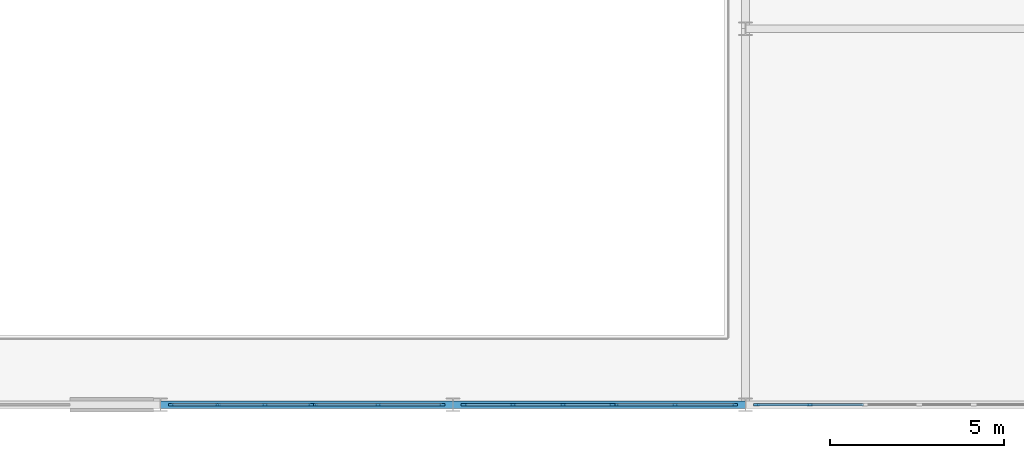
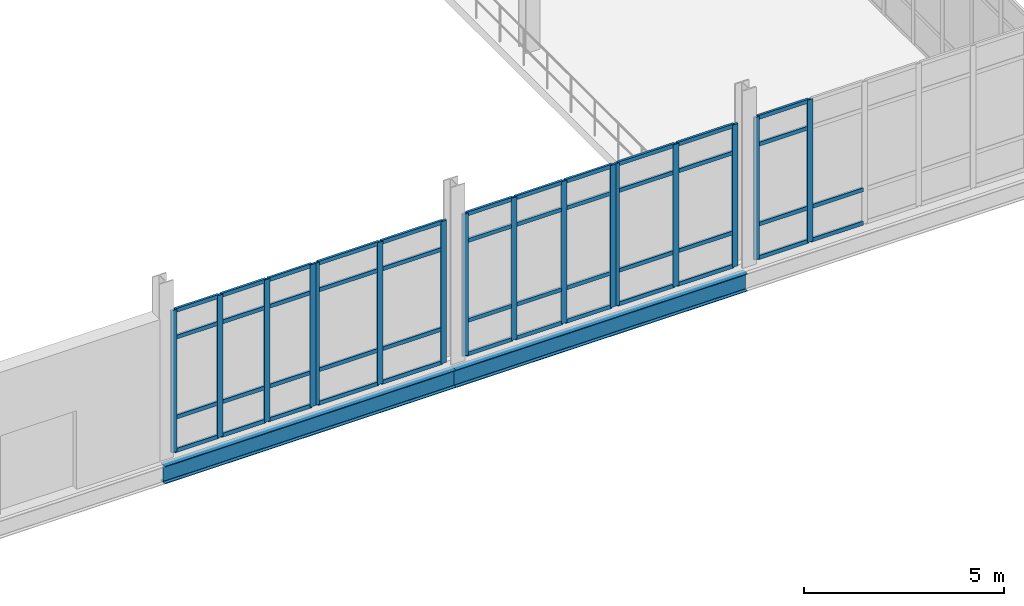
# One storey, part 37 of 111: 62 members, 2 beams, 5 elements without a shape of their own.
"""IFC4 building model written with IfcOpenShell, lengths in metres."""

import ifcopenshell
import ifcopenshell.guid

model = None  # the IFC model being written
_history = None  # IfcOwnerHistory: only IFC2X3 demands one
_inside = {}  # id of a spatial element -> (the spatial element, [elements in it])
_under = {}  # id of a project, library or spatial element -> (it, [spatial elements below it])
_declared = {}  # id of a project -> (the project, [libraries it declares])
_typed = {}  # id of a type object -> (the type object, [elements of that type])
_made_of = {}  # id of a material, layer set ... -> (it, [elements and type objects made of it])


def new_model(schema):
    """Start an empty IFC model of exactly this schema.

    Asked for "IFC4X3", IfcOpenShell would pick the latest addendum, in which some entities
    have other attributes; the version numbers below select the first issue.
    IFC2X3 requires an IfcOwnerHistory on every rooted entity: one is made here for all.
    """
    global model, _history
    if schema == "IFC4X3":
        model = ifcopenshell.file(schema_version=(4, 3, 0, 0))
    else:
        model = ifcopenshell.file(schema=schema)
    _inside.clear()
    _under.clear()
    _declared.clear()
    _typed.clear()
    _made_of.clear()
    _history = None
    if model.schema == "IFC2X3":
        org = make("IfcOrganization", Name="unknown")
        user = make(
            "IfcPersonAndOrganization",
            ThePerson=make("IfcPerson", FamilyName="unknown"),
            TheOrganization=org,
        )
        app = make(
            "IfcApplication",
            ApplicationDeveloper=org,
            Version="unknown",
            ApplicationFullName="unknown",
            ApplicationIdentifier="unknown",
        )
        _history = make(
            "IfcOwnerHistory",
            OwningUser=user,
            OwningApplication=app,
            ChangeAction="ADDED",
            CreationDate=0,
        )
    return model


def make(cls, **values):
    """One entity of the class cls with the attributes given. An attribute that is None is left unset."""
    return model.create_entity(
        cls, **{name: value for name, value in values.items() if value is not None}
    )


def rooted(cls, **values):
    """An entity with a GlobalId (a new one), such as an element, a storey or a relation."""
    return make(cls, GlobalId=ifcopenshell.guid.new(), OwnerHistory=_history, **values)


def si_unit(unit_type, name, prefix=None):
    """IfcSIUnit, for example si_unit("LENGTHUNIT", "METRE", prefix="MILLI")."""
    return make("IfcSIUnit", UnitType=unit_type, Prefix=prefix, Name=name)


def assignment(units):
    """IfcUnitAssignment: the units of a project."""
    return None if units is None else make("IfcUnitAssignment", Units=units)


def point(xyz):
    """IfcCartesianPoint."""
    return None if xyz is None else make("IfcCartesianPoint", Coordinates=xyz)


def direction(xyz):
    """IfcDirection."""
    return None if xyz is None else make("IfcDirection", DirectionRatios=xyz)


def frame(location, z_axis=None, x_axis=None):
    """IfcAxis2Placement3D, a coordinate frame: its origin and axes. An axis left out is left unset."""
    return make(
        "IfcAxis2Placement3D",
        Location=point(location),
        Axis=direction(z_axis),
        RefDirection=direction(x_axis),
    )


def frame_2d(location, x_axis=None):
    """IfcAxis2Placement2D, a coordinate frame in the plane: its origin and x axis."""
    return make(
        "IfcAxis2Placement2D", Location=point(location), RefDirection=direction(x_axis)
    )


def origin():
    """The frame at (0, 0, 0) with its axes left unset."""
    return frame((0.0, 0.0, 0.0))


def origin_2d():
    """The frame at (0, 0) in the plane with its x axis left unset."""
    return frame_2d((0.0, 0.0))


def place(relative_to, where):
    """IfcLocalPlacement: puts the frame where relative to a parent placement (None: the world)."""
    return make(
        "IfcLocalPlacement", PlacementRelTo=relative_to, RelativePlacement=where
    )


def context(
    kind, dimensions, precision=None, world=None, true_north=None, identifier=None
):
    """IfcGeometricRepresentationContext, for example the 3D "Model" context."""
    return make(
        "IfcGeometricRepresentationContext",
        ContextIdentifier=identifier,
        ContextType=kind,
        CoordinateSpaceDimension=dimensions,
        Precision=precision,
        WorldCoordinateSystem=world,
        TrueNorth=true_north,
    )


def subcontext(parent, identifier, kind, view, scale=None):
    """IfcGeometricRepresentationSubContext, for example "Body" below "Model"."""
    return make(
        "IfcGeometricRepresentationSubContext",
        ContextIdentifier=identifier,
        ContextType=kind,
        ParentContext=parent,
        TargetScale=scale,
        TargetView=view,
    )


def project(units=None, contexts=None):
    """IfcProject with its units and contexts."""
    return rooted(
        "IfcProject",
        Name="project",
        RepresentationContexts=contexts,
        UnitsInContext=assignment(units),
    )


def spatial(cls, under=None, at=None, **own):
    """A site, building, storey or space (cls), placed at a placement, below another one or the project."""
    s = rooted(cls, ObjectPlacement=at, **own)
    if under is not None:
        _under.setdefault(under.id(), (under, []))[1].append(s)
    return s


def profile(cls, at=None, kind="AREA", **sizes):
    """A parametric profile (cls). Its sizes go by their IFC names, for example OverallWidth=200.0."""
    return make(cls, ProfileType=kind, Position=at, **sizes)


def rectangle(**sizes):
    """IfcRectangleProfileDef."""
    return profile("IfcRectangleProfileDef", **sizes)


def i_section(**sizes):
    """IfcIShapeProfileDef."""
    return profile("IfcIShapeProfileDef", **sizes)


def extrude(swept, where, along, depth):
    """IfcExtrudedAreaSolid: the profile swept, set in the frame where, extruded along a direction by depth."""
    return make(
        "IfcExtrudedAreaSolid",
        SweptArea=swept,
        Position=where,
        ExtrudedDirection=direction(along),
        Depth=depth,
    )


def shape(context_of_items, identifier, shape_type, items):
    """IfcShapeRepresentation: the items that make up one representation, for example the "Body"."""
    return make(
        "IfcShapeRepresentation",
        ContextOfItems=context_of_items,
        RepresentationIdentifier=identifier,
        RepresentationType=shape_type,
        Items=items,
    )


def material(Name=None, Category=None):
    """IfcMaterial."""
    return make("IfcMaterial", Name=Name, Category=Category)


def layer(
    of_material, thickness, ventilated=None, Name=None, Category=None, Priority=None
):
    """IfcMaterialLayer: one layer of a wall or slab, of a material (None: an air gap)."""
    return make(
        "IfcMaterialLayer",
        Material=of_material,
        LayerThickness=thickness,
        IsVentilated=ventilated,
        Name=Name,
        Category=Category,
        Priority=Priority,
    )


def layer_set(layers, Name=None):
    """IfcMaterialLayerSet."""
    return make("IfcMaterialLayerSet", MaterialLayers=layers, LayerSetName=Name)


def material_profile(
    of_material, cross_section, Name=None, Category=None, Priority=None
):
    """IfcMaterialProfile: a cross section and its material."""
    return make(
        "IfcMaterialProfile",
        Name=Name,
        Material=of_material,
        Profile=cross_section,
        Priority=Priority,
        Category=Category,
    )


def profile_set(profiles, Name=None, composite=None):
    """IfcMaterialProfileSet."""
    return make(
        "IfcMaterialProfileSet",
        Name=Name,
        MaterialProfiles=profiles,
        CompositeProfile=composite,
    )


def made_of(thing, what):
    """Note that an element or type object is made of a material, layer set ...; save() writes the relation."""
    if what is not None:
        _made_of.setdefault(what.id(), (what, []))[1].append(thing)
    return thing


def type_object(cls, material=None, **own):
    """A type object (cls), such as IfcWallType, which elements share."""
    return made_of(rooted(cls, **own), material)


def element(
    cls,
    number,
    at=None,
    inside=None,
    cuts=None,
    type_object=None,
    material=None,
    context=None,
    identifier="Body",
    shape_type=None,
    held_by="IfcProductDefinitionShape",
    body=None,
    shapes=None,
    **own,
):
    """One element of the class cls, such as IfcWall. Its Tag is "e" and its number.

    at: its placement. inside: the storey or other place that contains it. cuts: it is an
    opening in that element (IfcRelVoidsElement). A single representation is given by context,
    identifier, shape_type and body (its items); several are given by shapes. held_by: the class
    of the entity that holds the representations. save() writes the other relations.
    """
    e = rooted(cls, Tag="e%d" % number, ObjectPlacement=at, **own)
    if body is not None:
        shapes = [shape(context, identifier, shape_type, body)]
    if shapes is not None:
        e.Representation = make(held_by, Representations=shapes)
    if inside is not None:
        _inside.setdefault(inside.id(), (inside, []))[1].append(e)
    if cuts is not None:
        rooted(
            "IfcRelVoidsElement", RelatingBuildingElement=cuts, RelatedOpeningElement=e
        )
    if type_object is not None:
        _typed.setdefault(type_object.id(), (type_object, []))[1].append(e)
    return made_of(e, material)


def aggregate(whole, parts):
    """IfcRelAggregates: a whole, such as a stair, and the parts it consists of."""
    return rooted("IfcRelAggregates", RelatingObject=whole, RelatedObjects=parts)


def save(model, path):
    """Write the relations noted so far, then the file.

    IfcRelAggregates (storeys below a building ...), IfcRelContainedInSpatialStructure (elements
    in a storey), IfcRelDefinesByType, IfcRelAssociatesMaterial and IfcRelDeclares: one each for
    every whole, place, type object, material and project.
    """
    for whole, parts in _under.values():
        aggregate(whole, parts)
    for where, things in _inside.values():
        rooted(
            "IfcRelContainedInSpatialStructure",
            RelatedElements=things,
            RelatingStructure=where,
        )
    for kind, things in _typed.values():
        rooted("IfcRelDefinesByType", RelatedObjects=things, RelatingType=kind)
    for what, things in _made_of.values():
        rooted("IfcRelAssociatesMaterial", RelatedObjects=things, RelatingMaterial=what)
    for by, libraries in _declared.values():
        rooted("IfcRelDeclares", RelatingContext=by, RelatedDefinitions=libraries)
    model.write(path)


model = new_model("IFC4")

# Units and contexts
model_context = context("Model", 3, precision=1e-05, world=origin(), true_north=direction((0.0, 1.0)))
body_context = subcontext(model_context, "Body", "Model", "MODEL_VIEW")
ifc_project = project(units=[si_unit("LENGTHUNIT", "METRE"), si_unit("AREAUNIT", "SQUARE_METRE"), si_unit("VOLUMEUNIT", "CUBIC_METRE"), si_unit("PLANEANGLEUNIT", "RADIAN"), si_unit("MASSUNIT", "GRAM", prefix="KILO"), si_unit("THERMODYNAMICTEMPERATUREUNIT", "KELVIN"), si_unit("POWERUNIT", "WATT")], contexts=[model_context])

# Site, building, storey
site_placement = place(None, origin())
site = spatial("IfcSite", under=ifc_project, at=site_placement, CompositionType="ELEMENT")
building_placement = place(site_placement, origin())
building = spatial("IfcBuilding", under=site, at=building_placement, Name="Tembeka Court Mobility Hub", CompositionType="ELEMENT")
storey_placement = place(building_placement, origin())
storey = spatial("IfcBuildingStorey", under=building, at=storey_placement, Name="L00", CompositionType="ELEMENT", Elevation=0.0)

# Beams
ifc_material_1 = material(Name="Steel S355", Category="steel")
ifc_material_profile_1 = material_profile(ifc_material_1, i_section(OverallWidth=0.2099609375, OverallDepth=0.537109375, WebThickness=0.0107421875, FlangeThickness=0.017333984375, FilletRadius=0.0126953125, at=origin_2d()), Name="UKB 533x210x101")
ifc_profile_set_1 = profile_set([ifc_material_profile_1], Name="Steel S355")
beam_type = type_object("IfcBeamType", Name="BM-G03", PredefinedType="USERDEFINED", material=ifc_profile_set_1)
beam_1_placement = place(storey_placement, frame((67.199951171875, 0.0, -0.548583984375), z_axis=(1.0, 0.0, 0.0), x_axis=(0.0, 1.0, 0.0)))
element("IfcBeam", 1, at=beam_1_placement, inside=storey, type_object=beam_type, Name="Beam G03 (BM-L00-X0008)", ObjectType="GIRDER", PredefinedType="USERDEFINED", context=body_context, shape_type="SweptSolid", body=[
    extrude(i_section(OverallWidth=0.2099609375, OverallDepth=0.537109375, WebThickness=0.0107421875, FlangeThickness=0.017333984375, FilletRadius=0.0126953125, at=origin_2d()), origin(), (0.0, 0.0, 1.0), 8.400146484375),
])
beam_2_placement = place(storey_placement, frame((75.60009765625, 0.0, -0.548583984375), z_axis=(1.0, 0.0, 0.0), x_axis=(0.0, 1.0, 0.0)))
element("IfcBeam", 2, at=beam_2_placement, inside=storey, type_object=beam_type, Name="Beam G03 (BM-L00-X0009)", ObjectType="GIRDER", PredefinedType="USERDEFINED", context=body_context, shape_type="SweptSolid", body=[
    extrude(i_section(OverallWidth=0.2099609375, OverallDepth=0.537109375, WebThickness=0.0107421875, FlangeThickness=0.017333984375, FilletRadius=0.0126953125, at=origin_2d()), origin(), (0.0, 0.0, 1.0), 8.39990234375),
])

# Curtain wall, members
ifc_material_2 = material(Name="Anodised aluminium 6063-T6", Category="aluminium")
ifc_layer_1 = layer(ifc_material_2, 0.159912109375)
ifc_layer_set_1 = layer_set([ifc_layer_1], Name="Anodised aluminium 6063-T6")
curtain_wall_type_1 = type_object("IfcCurtainWallType", Name="CW-SYS06", PredefinedType="USERDEFINED", material=ifc_layer_set_1)
curtain_wall_1_placement = place(storey_placement, origin())
curtain_wall_1 = element("IfcCurtainWall", 3, at=curtain_wall_1_placement, inside=storey, type_object=curtain_wall_type_1, Name="Unitised curtain wall CW06 (CW-L00-006)", ObjectType="UNITISED GLAZING", PredefinedType="USERDEFINED")
ifc_material_profile_2 = material_profile(ifc_material_2, rectangle(XDim=0.06494140625, YDim=0.159912109375, at=origin_2d()), Name="ALU-MUL 65x160")
ifc_profile_set_2 = profile_set([ifc_material_profile_2], Name="Anodised aluminium 6063-T6")
member_type_1 = type_object("IfcMemberType", Name="CW-MUL01", PredefinedType="MULLION", material=ifc_profile_set_2)
member_1_placement = place(storey_placement, frame((67.512451171875, 0.0, 0.0), z_axis=(0.0, 0.0, 1.0), x_axis=(0.0, 1.0, 0.0)))
member_1 = element("IfcMember", 4, at=member_1_placement, type_object=member_type_1, Name="CW06 mullion 1", PredefinedType="MULLION", context=body_context, shape_type="SweptSolid", body=[
    extrude(rectangle(XDim=0.06494140625, YDim=0.159912109375, at=origin_2d()), origin(), (0.0, 0.0, 1.0), 4.3349609375),
])
member_2_placement = place(storey_placement, frame((68.8359375, 0.0, 0.0), z_axis=(0.0, 0.0, 1.0), x_axis=(0.0, 1.0, 0.0)))
member_2 = element("IfcMember", 5, at=member_2_placement, type_object=member_type_1, Name="CW06 mullion 2", PredefinedType="MULLION", context=body_context, shape_type="SweptSolid", body=[
    extrude(rectangle(XDim=0.06494140625, YDim=0.159912109375, at=origin_2d()), origin(), (0.0, 0.0, 1.0), 4.3349609375),
])
member_3_placement = place(storey_placement, frame((70.19189453125, 0.0, 0.0), z_axis=(0.0, 0.0, 1.0), x_axis=(0.0, 1.0, 0.0)))
member_3 = element("IfcMember", 6, at=member_3_placement, type_object=member_type_1, Name="CW06 mullion 3", PredefinedType="MULLION", context=body_context, shape_type="SweptSolid", body=[
    extrude(rectangle(XDim=0.06494140625, YDim=0.159912109375, at=origin_2d()), origin(), (0.0, 0.0, 1.0), 4.3349609375),
])
member_4_placement = place(storey_placement, frame((71.515380859375, 0.0, 0.0), z_axis=(0.0, 0.0, 1.0), x_axis=(0.0, 1.0, 0.0)))
member_4 = element("IfcMember", 7, at=member_4_placement, type_object=member_type_1, Name="CW06 mullion 4", PredefinedType="MULLION", context=body_context, shape_type="SweptSolid", body=[
    extrude(rectangle(XDim=0.06494140625, YDim=0.159912109375, at=origin_2d()), origin(), (0.0, 0.0, 1.0), 4.3349609375),
])

ifc_layer_2 = layer(ifc_material_2, 0.159912109375)
ifc_layer_set_2 = layer_set([ifc_layer_2], Name="Anodised aluminium 6063-T6")
curtain_wall_type_2 = type_object("IfcCurtainWallType", Name="CW-SYS07", PredefinedType="USERDEFINED", material=ifc_layer_set_2)
curtain_wall_2_placement = place(storey_placement, origin())
curtain_wall_2 = element("IfcCurtainWall", 8, at=curtain_wall_2_placement, inside=storey, type_object=curtain_wall_type_2, Name="Unitised curtain wall CW07 (CW-L00-007)", ObjectType="UNITISED GLAZING", PredefinedType="USERDEFINED")
member_5_placement = place(storey_placement, frame((71.62060546875, 0.0, 0.0), z_axis=(0.0, 0.0, 1.0), x_axis=(0.0, 1.0, 0.0)))
member_5 = element("IfcMember", 9, at=member_5_placement, type_object=member_type_1, Name="CW07 mullion 1", PredefinedType="MULLION", context=body_context, shape_type="SweptSolid", body=[
    extrude(rectangle(XDim=0.06494140625, YDim=0.159912109375, at=origin_2d()), origin(), (0.0, 0.0, 1.0), 4.3349609375),
])
member_6_placement = place(storey_placement, frame((73.4541015625, 0.0, 0.0), z_axis=(0.0, 0.0, 1.0), x_axis=(0.0, 1.0, 0.0)))
member_6 = element("IfcMember", 10, at=member_6_placement, type_object=member_type_1, Name="CW07 mullion 2", PredefinedType="MULLION", context=body_context, shape_type="SweptSolid", body=[
    extrude(rectangle(XDim=0.06494140625, YDim=0.159912109375, at=origin_2d()), origin(), (0.0, 0.0, 1.0), 4.3349609375),
])
member_7_placement = place(storey_placement, frame((75.28759765625, 0.0, 0.0), z_axis=(0.0, 0.0, 1.0), x_axis=(0.0, 1.0, 0.0)))
member_7 = element("IfcMember", 11, at=member_7_placement, type_object=member_type_1, Name="CW07 mullion 3", PredefinedType="MULLION", context=body_context, shape_type="SweptSolid", body=[
    extrude(rectangle(XDim=0.06494140625, YDim=0.159912109375, at=origin_2d()), origin(), (0.0, 0.0, 1.0), 4.3349609375),
])

ifc_layer_3 = layer(ifc_material_2, 0.159912109375)
ifc_layer_set_3 = layer_set([ifc_layer_3], Name="Anodised aluminium 6063-T6")
curtain_wall_type_3 = type_object("IfcCurtainWallType", Name="CW-SYS08", PredefinedType="USERDEFINED", material=ifc_layer_set_3)
curtain_wall_3_placement = place(storey_placement, origin())
curtain_wall_3 = element("IfcCurtainWall", 12, at=curtain_wall_3_placement, inside=storey, type_object=curtain_wall_type_3, Name="Unitised curtain wall CW08 (CW-L00-008)", ObjectType="UNITISED GLAZING", PredefinedType="USERDEFINED")
member_8_placement = place(storey_placement, frame((75.91259765625, 0.0, 0.0), z_axis=(0.0, 0.0, 1.0), x_axis=(0.0, 1.0, 0.0)))
member_8 = element("IfcMember", 13, at=member_8_placement, type_object=member_type_1, Name="CW08 mullion 1", PredefinedType="MULLION", context=body_context, shape_type="SweptSolid", body=[
    extrude(rectangle(XDim=0.06494140625, YDim=0.159912109375, at=origin_2d()), origin(), (0.0, 0.0, 1.0), 4.3349609375),
])
member_9_placement = place(storey_placement, frame((77.320068359375, 0.0, 0.0), z_axis=(0.0, 0.0, 1.0), x_axis=(0.0, 1.0, 0.0)))
member_9 = element("IfcMember", 14, at=member_9_placement, type_object=member_type_1, Name="CW08 mullion 2", PredefinedType="MULLION", context=body_context, shape_type="SweptSolid", body=[
    extrude(rectangle(XDim=0.06494140625, YDim=0.159912109375, at=origin_2d()), origin(), (0.0, 0.0, 1.0), 4.3349609375),
])
member_10_placement = place(storey_placement, frame((78.760009765625, 0.0, 0.0), z_axis=(0.0, 0.0, 1.0), x_axis=(0.0, 1.0, 0.0)))
member_10 = element("IfcMember", 15, at=member_10_placement, type_object=member_type_1, Name="CW08 mullion 3", PredefinedType="MULLION", context=body_context, shape_type="SweptSolid", body=[
    extrude(rectangle(XDim=0.06494140625, YDim=0.159912109375, at=origin_2d()), origin(), (0.0, 0.0, 1.0), 4.3349609375),
])
member_11_placement = place(storey_placement, frame((80.16748046875, 0.0, 0.0), z_axis=(0.0, 0.0, 1.0), x_axis=(0.0, 1.0, 0.0)))
member_11 = element("IfcMember", 16, at=member_11_placement, type_object=member_type_1, Name="CW08 mullion 4", PredefinedType="MULLION", context=body_context, shape_type="SweptSolid", body=[
    extrude(rectangle(XDim=0.06494140625, YDim=0.159912109375, at=origin_2d()), origin(), (0.0, 0.0, 1.0), 4.3349609375),
])

ifc_layer_4 = layer(ifc_material_2, 0.159912109375)
ifc_layer_set_4 = layer_set([ifc_layer_4], Name="Anodised aluminium 6063-T6")
curtain_wall_type_4 = type_object("IfcCurtainWallType", Name="CW-SYS09", PredefinedType="USERDEFINED", material=ifc_layer_set_4)
curtain_wall_4_placement = place(storey_placement, origin())
curtain_wall_4 = element("IfcCurtainWall", 17, at=curtain_wall_4_placement, inside=storey, type_object=curtain_wall_type_4, Name="Unitised curtain wall CW09 (CW-L00-009)", ObjectType="UNITISED GLAZING", PredefinedType="USERDEFINED")
member_12_placement = place(storey_placement, frame((80.2724609375, 0.0, 0.0), z_axis=(0.0, 0.0, 1.0), x_axis=(0.0, 1.0, 0.0)))
member_12 = element("IfcMember", 18, at=member_12_placement, type_object=member_type_1, Name="CW09 mullion 1", PredefinedType="MULLION", context=body_context, shape_type="SweptSolid", body=[
    extrude(rectangle(XDim=0.06494140625, YDim=0.159912109375, at=origin_2d()), origin(), (0.0, 0.0, 1.0), 4.3349609375),
])
member_13_placement = place(storey_placement, frame((81.97998046875, 0.0, 0.0), z_axis=(0.0, 0.0, 1.0), x_axis=(0.0, 1.0, 0.0)))
member_13 = element("IfcMember", 19, at=member_13_placement, type_object=member_type_1, Name="CW09 mullion 2", PredefinedType="MULLION", context=body_context, shape_type="SweptSolid", body=[
    extrude(rectangle(XDim=0.06494140625, YDim=0.159912109375, at=origin_2d()), origin(), (0.0, 0.0, 1.0), 4.3349609375),
])
member_14_placement = place(storey_placement, frame((83.6875, 0.0, 0.0), z_axis=(0.0, 0.0, 1.0), x_axis=(0.0, 1.0, 0.0)))
member_14 = element("IfcMember", 20, at=member_14_placement, type_object=member_type_1, Name="CW09 mullion 3", PredefinedType="MULLION", context=body_context, shape_type="SweptSolid", body=[
    extrude(rectangle(XDim=0.06494140625, YDim=0.159912109375, at=origin_2d()), origin(), (0.0, 0.0, 1.0), 4.3349609375),
])

ifc_layer_5 = layer(ifc_material_2, 0.159912109375)
ifc_layer_set_5 = layer_set([ifc_layer_5], Name="Anodised aluminium 6063-T6")
curtain_wall_type_5 = type_object("IfcCurtainWallType", Name="CW-SYS01", PredefinedType="USERDEFINED", material=ifc_layer_set_5)
curtain_wall_5_placement = place(storey_placement, origin())
curtain_wall_5 = element("IfcCurtainWall", 21, at=curtain_wall_5_placement, inside=storey, type_object=curtain_wall_type_5, Name="Unitised curtain wall CW01 (CW-L00-010)", ObjectType="UNITISED GLAZING", PredefinedType="USERDEFINED")
member_15_placement = place(storey_placement, frame((84.3125, 0.0, 0.0), z_axis=(0.0, 0.0, 1.0), x_axis=(0.0, 1.0, 0.0)))
member_15 = element("IfcMember", 22, at=member_15_placement, type_object=member_type_1, Name="CW01 mullion 1", PredefinedType="MULLION", context=body_context, shape_type="SweptSolid", body=[
    extrude(rectangle(XDim=0.06494140625, YDim=0.159912109375, at=origin_2d()), origin(), (0.0, 0.0, 1.0), 4.3349609375),
])
member_16_placement = place(storey_placement, frame((85.847900390625, 0.0, 0.0), z_axis=(0.0, 0.0, 1.0), x_axis=(0.0, 1.0, 0.0)))
member_16 = element("IfcMember", 23, at=member_16_placement, type_object=member_type_1, Name="CW01 mullion 2", PredefinedType="MULLION", context=body_context, shape_type="SweptSolid", body=[
    extrude(rectangle(XDim=0.06494140625, YDim=0.159912109375, at=origin_2d()), origin(), (0.0, 0.0, 1.0), 4.3349609375),
])

# Member
ifc_material_profile_3 = material_profile(ifc_material_2, rectangle(XDim=0.06494140625, YDim=0.1201171875, at=origin_2d()), Name="ALU-TRN 65x120")
ifc_profile_set_3 = profile_set([ifc_material_profile_3], Name="Anodised aluminium 6063-T6")
member_type_2 = type_object("IfcMemberType", Name="CW-TRN01", PredefinedType="USERDEFINED", material=ifc_profile_set_3)
member_17_placement = place(storey_placement, frame((67.544921875, 0.0, 0.032470703125), z_axis=(1.0, 0.0, 0.0), x_axis=(0.0, 1.0, 0.0)))
member_17 = element("IfcMember", 24, at=member_17_placement, type_object=member_type_2, Name="CW06 transom 1.1", ObjectType="TRANSOM", PredefinedType="USERDEFINED", context=body_context, shape_type="SweptSolid", body=[
    extrude(rectangle(XDim=0.06494140625, YDim=0.1201171875, at=origin_2d()), origin(), (0.0, 0.0, 1.0), 1.258544921875),
])

member_18_placement = place(storey_placement, frame((67.544921875, 0.0, 1.050048828125), z_axis=(1.0, 0.0, 0.0), x_axis=(0.0, 1.0, 0.0)))
member_18 = element("IfcMember", 25, at=member_18_placement, type_object=member_type_2, Name="CW06 transom 1.2", ObjectType="TRANSOM", PredefinedType="USERDEFINED", context=body_context, shape_type="SweptSolid", body=[
    extrude(rectangle(XDim=0.06494140625, YDim=0.1201171875, at=origin_2d()), origin(), (0.0, 0.0, 1.0), 1.258544921875),
])

member_19_placement = place(storey_placement, frame((67.544921875, 0.0, 3.485107421875), z_axis=(1.0, 0.0, 0.0), x_axis=(0.0, 1.0, 0.0)))
member_19 = element("IfcMember", 26, at=member_19_placement, type_object=member_type_2, Name="CW06 transom 1.3", ObjectType="TRANSOM", PredefinedType="USERDEFINED", context=body_context, shape_type="SweptSolid", body=[
    extrude(rectangle(XDim=0.06494140625, YDim=0.1201171875, at=origin_2d()), origin(), (0.0, 0.0, 1.0), 1.258544921875),
])

member_20_placement = place(storey_placement, frame((67.544921875, 0.0, 4.302490234375), z_axis=(1.0, 0.0, 0.0), x_axis=(0.0, 1.0, 0.0)))
member_20 = element("IfcMember", 27, at=member_20_placement, type_object=member_type_2, Name="CW06 transom 1.4", ObjectType="TRANSOM", PredefinedType="USERDEFINED", context=body_context, shape_type="SweptSolid", body=[
    extrude(rectangle(XDim=0.06494140625, YDim=0.1201171875, at=origin_2d()), origin(), (0.0, 0.0, 1.0), 1.258544921875),
])

member_21_placement = place(storey_placement, frame((68.868408203125, 0.0, 0.032470703125), z_axis=(1.0, 0.0, 0.0), x_axis=(0.0, 1.0, 0.0)))
member_21 = element("IfcMember", 28, at=member_21_placement, type_object=member_type_2, Name="CW06 transom 2.1", ObjectType="TRANSOM", PredefinedType="USERDEFINED", context=body_context, shape_type="SweptSolid", body=[
    extrude(rectangle(XDim=0.06494140625, YDim=0.1201171875, at=origin_2d()), origin(), (0.0, 0.0, 1.0), 1.291015625),
])

member_22_placement = place(storey_placement, frame((68.868408203125, 0.0, 1.050048828125), z_axis=(1.0, 0.0, 0.0), x_axis=(0.0, 1.0, 0.0)))
member_22 = element("IfcMember", 29, at=member_22_placement, type_object=member_type_2, Name="CW06 transom 2.2", ObjectType="TRANSOM", PredefinedType="USERDEFINED", context=body_context, shape_type="SweptSolid", body=[
    extrude(rectangle(XDim=0.06494140625, YDim=0.1201171875, at=origin_2d()), origin(), (0.0, 0.0, 1.0), 1.291015625),
])

member_23_placement = place(storey_placement, frame((68.868408203125, 0.0, 3.485107421875), z_axis=(1.0, 0.0, 0.0), x_axis=(0.0, 1.0, 0.0)))
member_23 = element("IfcMember", 30, at=member_23_placement, type_object=member_type_2, Name="CW06 transom 2.3", ObjectType="TRANSOM", PredefinedType="USERDEFINED", context=body_context, shape_type="SweptSolid", body=[
    extrude(rectangle(XDim=0.06494140625, YDim=0.1201171875, at=origin_2d()), origin(), (0.0, 0.0, 1.0), 1.291015625),
])

member_24_placement = place(storey_placement, frame((68.868408203125, 0.0, 4.302490234375), z_axis=(1.0, 0.0, 0.0), x_axis=(0.0, 1.0, 0.0)))
member_24 = element("IfcMember", 31, at=member_24_placement, type_object=member_type_2, Name="CW06 transom 2.4", ObjectType="TRANSOM", PredefinedType="USERDEFINED", context=body_context, shape_type="SweptSolid", body=[
    extrude(rectangle(XDim=0.06494140625, YDim=0.1201171875, at=origin_2d()), origin(), (0.0, 0.0, 1.0), 1.291015625),
])

member_25_placement = place(storey_placement, frame((70.224609375, 0.0, 0.032470703125), z_axis=(1.0, 0.0, 0.0), x_axis=(0.0, 1.0, 0.0)))
member_25 = element("IfcMember", 32, at=member_25_placement, type_object=member_type_2, Name="CW06 transom 3.1", ObjectType="TRANSOM", PredefinedType="USERDEFINED", context=body_context, shape_type="SweptSolid", body=[
    extrude(rectangle(XDim=0.06494140625, YDim=0.1201171875, at=origin_2d()), origin(), (0.0, 0.0, 1.0), 1.25830078125),
])

member_26_placement = place(storey_placement, frame((70.224609375, 0.0, 1.050048828125), z_axis=(1.0, 0.0, 0.0), x_axis=(0.0, 1.0, 0.0)))
member_26 = element("IfcMember", 33, at=member_26_placement, type_object=member_type_2, Name="CW06 transom 3.2", ObjectType="TRANSOM", PredefinedType="USERDEFINED", context=body_context, shape_type="SweptSolid", body=[
    extrude(rectangle(XDim=0.06494140625, YDim=0.1201171875, at=origin_2d()), origin(), (0.0, 0.0, 1.0), 1.25830078125),
])

member_27_placement = place(storey_placement, frame((70.224609375, 0.0, 3.485107421875), z_axis=(1.0, 0.0, 0.0), x_axis=(0.0, 1.0, 0.0)))
member_27 = element("IfcMember", 34, at=member_27_placement, type_object=member_type_2, Name="CW06 transom 3.3", ObjectType="TRANSOM", PredefinedType="USERDEFINED", context=body_context, shape_type="SweptSolid", body=[
    extrude(rectangle(XDim=0.06494140625, YDim=0.1201171875, at=origin_2d()), origin(), (0.0, 0.0, 1.0), 1.25830078125),
])

member_28_placement = place(storey_placement, frame((70.224609375, 0.0, 4.302490234375), z_axis=(1.0, 0.0, 0.0), x_axis=(0.0, 1.0, 0.0)))
member_28 = element("IfcMember", 35, at=member_28_placement, type_object=member_type_2, Name="CW06 transom 3.4", ObjectType="TRANSOM", PredefinedType="USERDEFINED", context=body_context, shape_type="SweptSolid", body=[
    extrude(rectangle(XDim=0.06494140625, YDim=0.1201171875, at=origin_2d()), origin(), (0.0, 0.0, 1.0), 1.25830078125),
])

aggregate(curtain_wall_1, [member_1, member_2, member_3, member_4, member_17, member_18, member_19, member_20, member_21, member_22, member_23, member_24, member_25, member_26, member_27, member_28])

member_29_placement = place(storey_placement, frame((71.653076171875, 0.0, 0.032470703125), z_axis=(1.0, 0.0, 0.0), x_axis=(0.0, 1.0, 0.0)))
member_29 = element("IfcMember", 36, at=member_29_placement, type_object=member_type_2, Name="CW07 transom 1.1", ObjectType="TRANSOM", PredefinedType="USERDEFINED", context=body_context, shape_type="SweptSolid", body=[
    extrude(rectangle(XDim=0.06494140625, YDim=0.1201171875, at=origin_2d()), origin(), (0.0, 0.0, 1.0), 1.768310546875),
])

member_30_placement = place(storey_placement, frame((71.653076171875, 0.0, 1.050048828125), z_axis=(1.0, 0.0, 0.0), x_axis=(0.0, 1.0, 0.0)))
member_30 = element("IfcMember", 37, at=member_30_placement, type_object=member_type_2, Name="CW07 transom 1.2", ObjectType="TRANSOM", PredefinedType="USERDEFINED", context=body_context, shape_type="SweptSolid", body=[
    extrude(rectangle(XDim=0.06494140625, YDim=0.1201171875, at=origin_2d()), origin(), (0.0, 0.0, 1.0), 1.768310546875),
])

member_31_placement = place(storey_placement, frame((71.653076171875, 0.0, 3.485107421875), z_axis=(1.0, 0.0, 0.0), x_axis=(0.0, 1.0, 0.0)))
member_31 = element("IfcMember", 38, at=member_31_placement, type_object=member_type_2, Name="CW07 transom 1.3", ObjectType="TRANSOM", PredefinedType="USERDEFINED", context=body_context, shape_type="SweptSolid", body=[
    extrude(rectangle(XDim=0.06494140625, YDim=0.1201171875, at=origin_2d()), origin(), (0.0, 0.0, 1.0), 1.768310546875),
])

member_32_placement = place(storey_placement, frame((71.653076171875, 0.0, 4.302490234375), z_axis=(1.0, 0.0, 0.0), x_axis=(0.0, 1.0, 0.0)))
member_32 = element("IfcMember", 39, at=member_32_placement, type_object=member_type_2, Name="CW07 transom 1.4", ObjectType="TRANSOM", PredefinedType="USERDEFINED", context=body_context, shape_type="SweptSolid", body=[
    extrude(rectangle(XDim=0.06494140625, YDim=0.1201171875, at=origin_2d()), origin(), (0.0, 0.0, 1.0), 1.768310546875),
])

member_33_placement = place(storey_placement, frame((73.486572265625, 0.0, 0.032470703125), z_axis=(1.0, 0.0, 0.0), x_axis=(0.0, 1.0, 0.0)))
member_33 = element("IfcMember", 40, at=member_33_placement, type_object=member_type_2, Name="CW07 transom 2.1", ObjectType="TRANSOM", PredefinedType="USERDEFINED", context=body_context, shape_type="SweptSolid", body=[
    extrude(rectangle(XDim=0.06494140625, YDim=0.1201171875, at=origin_2d()), origin(), (0.0, 0.0, 1.0), 1.768310546875),
])

member_34_placement = place(storey_placement, frame((73.486572265625, 0.0, 1.050048828125), z_axis=(1.0, 0.0, 0.0), x_axis=(0.0, 1.0, 0.0)))
member_34 = element("IfcMember", 41, at=member_34_placement, type_object=member_type_2, Name="CW07 transom 2.2", ObjectType="TRANSOM", PredefinedType="USERDEFINED", context=body_context, shape_type="SweptSolid", body=[
    extrude(rectangle(XDim=0.06494140625, YDim=0.1201171875, at=origin_2d()), origin(), (0.0, 0.0, 1.0), 1.768310546875),
])

member_35_placement = place(storey_placement, frame((73.486572265625, 0.0, 3.485107421875), z_axis=(1.0, 0.0, 0.0), x_axis=(0.0, 1.0, 0.0)))
member_35 = element("IfcMember", 42, at=member_35_placement, type_object=member_type_2, Name="CW07 transom 2.3", ObjectType="TRANSOM", PredefinedType="USERDEFINED", context=body_context, shape_type="SweptSolid", body=[
    extrude(rectangle(XDim=0.06494140625, YDim=0.1201171875, at=origin_2d()), origin(), (0.0, 0.0, 1.0), 1.768310546875),
])

member_36_placement = place(storey_placement, frame((73.486572265625, 0.0, 4.302490234375), z_axis=(1.0, 0.0, 0.0), x_axis=(0.0, 1.0, 0.0)))
member_36 = element("IfcMember", 43, at=member_36_placement, type_object=member_type_2, Name="CW07 transom 2.4", ObjectType="TRANSOM", PredefinedType="USERDEFINED", context=body_context, shape_type="SweptSolid", body=[
    extrude(rectangle(XDim=0.06494140625, YDim=0.1201171875, at=origin_2d()), origin(), (0.0, 0.0, 1.0), 1.768310546875),
])

aggregate(curtain_wall_2, [member_5, member_6, member_7, member_29, member_30, member_31, member_32, member_33, member_34, member_35, member_36])

member_37_placement = place(storey_placement, frame((75.945068359375, 0.0, 0.032470703125), z_axis=(1.0, 0.0, 0.0), x_axis=(0.0, 1.0, 0.0)))
member_37 = element("IfcMember", 44, at=member_37_placement, type_object=member_type_2, Name="CW08 transom 1.1", ObjectType="TRANSOM", PredefinedType="USERDEFINED", context=body_context, shape_type="SweptSolid", body=[
    extrude(rectangle(XDim=0.06494140625, YDim=0.1201171875, at=origin_2d()), origin(), (0.0, 0.0, 1.0), 1.342529296875),
])

member_38_placement = place(storey_placement, frame((75.945068359375, 0.0, 1.050048828125), z_axis=(1.0, 0.0, 0.0), x_axis=(0.0, 1.0, 0.0)))
member_38 = element("IfcMember", 45, at=member_38_placement, type_object=member_type_2, Name="CW08 transom 1.2", ObjectType="TRANSOM", PredefinedType="USERDEFINED", context=body_context, shape_type="SweptSolid", body=[
    extrude(rectangle(XDim=0.06494140625, YDim=0.1201171875, at=origin_2d()), origin(), (0.0, 0.0, 1.0), 1.342529296875),
])

member_39_placement = place(storey_placement, frame((75.945068359375, 0.0, 3.485107421875), z_axis=(1.0, 0.0, 0.0), x_axis=(0.0, 1.0, 0.0)))
member_39 = element("IfcMember", 46, at=member_39_placement, type_object=member_type_2, Name="CW08 transom 1.3", ObjectType="TRANSOM", PredefinedType="USERDEFINED", context=body_context, shape_type="SweptSolid", body=[
    extrude(rectangle(XDim=0.06494140625, YDim=0.1201171875, at=origin_2d()), origin(), (0.0, 0.0, 1.0), 1.342529296875),
])

member_40_placement = place(storey_placement, frame((75.945068359375, 0.0, 4.302490234375), z_axis=(1.0, 0.0, 0.0), x_axis=(0.0, 1.0, 0.0)))
member_40 = element("IfcMember", 47, at=member_40_placement, type_object=member_type_2, Name="CW08 transom 1.4", ObjectType="TRANSOM", PredefinedType="USERDEFINED", context=body_context, shape_type="SweptSolid", body=[
    extrude(rectangle(XDim=0.06494140625, YDim=0.1201171875, at=origin_2d()), origin(), (0.0, 0.0, 1.0), 1.342529296875),
])

member_41_placement = place(storey_placement, frame((77.3525390625, 0.0, 0.032470703125), z_axis=(1.0, 0.0, 0.0), x_axis=(0.0, 1.0, 0.0)))
member_41 = element("IfcMember", 48, at=member_41_placement, type_object=member_type_2, Name="CW08 transom 2.1", ObjectType="TRANSOM", PredefinedType="USERDEFINED", context=body_context, shape_type="SweptSolid", body=[
    extrude(rectangle(XDim=0.06494140625, YDim=0.1201171875, at=origin_2d()), origin(), (0.0, 0.0, 1.0), 1.375),
])

member_42_placement = place(storey_placement, frame((77.3525390625, 0.0, 1.050048828125), z_axis=(1.0, 0.0, 0.0), x_axis=(0.0, 1.0, 0.0)))
member_42 = element("IfcMember", 49, at=member_42_placement, type_object=member_type_2, Name="CW08 transom 2.2", ObjectType="TRANSOM", PredefinedType="USERDEFINED", context=body_context, shape_type="SweptSolid", body=[
    extrude(rectangle(XDim=0.06494140625, YDim=0.1201171875, at=origin_2d()), origin(), (0.0, 0.0, 1.0), 1.375),
])

member_43_placement = place(storey_placement, frame((77.3525390625, 0.0, 3.485107421875), z_axis=(1.0, 0.0, 0.0), x_axis=(0.0, 1.0, 0.0)))
member_43 = element("IfcMember", 50, at=member_43_placement, type_object=member_type_2, Name="CW08 transom 2.3", ObjectType="TRANSOM", PredefinedType="USERDEFINED", context=body_context, shape_type="SweptSolid", body=[
    extrude(rectangle(XDim=0.06494140625, YDim=0.1201171875, at=origin_2d()), origin(), (0.0, 0.0, 1.0), 1.375),
])

member_44_placement = place(storey_placement, frame((77.3525390625, 0.0, 4.302490234375), z_axis=(1.0, 0.0, 0.0), x_axis=(0.0, 1.0, 0.0)))
member_44 = element("IfcMember", 51, at=member_44_placement, type_object=member_type_2, Name="CW08 transom 2.4", ObjectType="TRANSOM", PredefinedType="USERDEFINED", context=body_context, shape_type="SweptSolid", body=[
    extrude(rectangle(XDim=0.06494140625, YDim=0.1201171875, at=origin_2d()), origin(), (0.0, 0.0, 1.0), 1.375),
])

member_45_placement = place(storey_placement, frame((78.79248046875, 0.0, 0.032470703125), z_axis=(1.0, 0.0, 0.0), x_axis=(0.0, 1.0, 0.0)))
member_45 = element("IfcMember", 52, at=member_45_placement, type_object=member_type_2, Name="CW08 transom 3.1", ObjectType="TRANSOM", PredefinedType="USERDEFINED", context=body_context, shape_type="SweptSolid", body=[
    extrude(rectangle(XDim=0.06494140625, YDim=0.1201171875, at=origin_2d()), origin(), (0.0, 0.0, 1.0), 1.342529296875),
])

member_46_placement = place(storey_placement, frame((78.79248046875, 0.0, 1.050048828125), z_axis=(1.0, 0.0, 0.0), x_axis=(0.0, 1.0, 0.0)))
member_46 = element("IfcMember", 53, at=member_46_placement, type_object=member_type_2, Name="CW08 transom 3.2", ObjectType="TRANSOM", PredefinedType="USERDEFINED", context=body_context, shape_type="SweptSolid", body=[
    extrude(rectangle(XDim=0.06494140625, YDim=0.1201171875, at=origin_2d()), origin(), (0.0, 0.0, 1.0), 1.342529296875),
])

member_47_placement = place(storey_placement, frame((78.79248046875, 0.0, 3.485107421875), z_axis=(1.0, 0.0, 0.0), x_axis=(0.0, 1.0, 0.0)))
member_47 = element("IfcMember", 54, at=member_47_placement, type_object=member_type_2, Name="CW08 transom 3.3", ObjectType="TRANSOM", PredefinedType="USERDEFINED", context=body_context, shape_type="SweptSolid", body=[
    extrude(rectangle(XDim=0.06494140625, YDim=0.1201171875, at=origin_2d()), origin(), (0.0, 0.0, 1.0), 1.342529296875),
])

member_48_placement = place(storey_placement, frame((78.79248046875, 0.0, 4.302490234375), z_axis=(1.0, 0.0, 0.0), x_axis=(0.0, 1.0, 0.0)))
member_48 = element("IfcMember", 55, at=member_48_placement, type_object=member_type_2, Name="CW08 transom 3.4", ObjectType="TRANSOM", PredefinedType="USERDEFINED", context=body_context, shape_type="SweptSolid", body=[
    extrude(rectangle(XDim=0.06494140625, YDim=0.1201171875, at=origin_2d()), origin(), (0.0, 0.0, 1.0), 1.342529296875),
])

aggregate(curtain_wall_3, [member_8, member_9, member_10, member_11, member_37, member_38, member_39, member_40, member_41, member_42, member_43, member_44, member_45, member_46, member_47, member_48])

member_49_placement = place(storey_placement, frame((80.304931640625, 0.0, 0.032470703125), z_axis=(1.0, 0.0, 0.0), x_axis=(0.0, 1.0, 0.0)))
member_49 = element("IfcMember", 56, at=member_49_placement, type_object=member_type_2, Name="CW09 transom 1.1", ObjectType="TRANSOM", PredefinedType="USERDEFINED", context=body_context, shape_type="SweptSolid", body=[
    extrude(rectangle(XDim=0.06494140625, YDim=0.1201171875, at=origin_2d()), origin(), (0.0, 0.0, 1.0), 1.642578125),
])

member_50_placement = place(storey_placement, frame((80.304931640625, 0.0, 1.050048828125), z_axis=(1.0, 0.0, 0.0), x_axis=(0.0, 1.0, 0.0)))
member_50 = element("IfcMember", 57, at=member_50_placement, type_object=member_type_2, Name="CW09 transom 1.2", ObjectType="TRANSOM", PredefinedType="USERDEFINED", context=body_context, shape_type="SweptSolid", body=[
    extrude(rectangle(XDim=0.06494140625, YDim=0.1201171875, at=origin_2d()), origin(), (0.0, 0.0, 1.0), 1.642578125),
])

member_51_placement = place(storey_placement, frame((80.304931640625, 0.0, 3.485107421875), z_axis=(1.0, 0.0, 0.0), x_axis=(0.0, 1.0, 0.0)))
member_51 = element("IfcMember", 58, at=member_51_placement, type_object=member_type_2, Name="CW09 transom 1.3", ObjectType="TRANSOM", PredefinedType="USERDEFINED", context=body_context, shape_type="SweptSolid", body=[
    extrude(rectangle(XDim=0.06494140625, YDim=0.1201171875, at=origin_2d()), origin(), (0.0, 0.0, 1.0), 1.642578125),
])

member_52_placement = place(storey_placement, frame((80.304931640625, 0.0, 4.302490234375), z_axis=(1.0, 0.0, 0.0), x_axis=(0.0, 1.0, 0.0)))
member_52 = element("IfcMember", 59, at=member_52_placement, type_object=member_type_2, Name="CW09 transom 1.4", ObjectType="TRANSOM", PredefinedType="USERDEFINED", context=body_context, shape_type="SweptSolid", body=[
    extrude(rectangle(XDim=0.06494140625, YDim=0.1201171875, at=origin_2d()), origin(), (0.0, 0.0, 1.0), 1.642578125),
])

member_53_placement = place(storey_placement, frame((82.012451171875, 0.0, 0.032470703125), z_axis=(1.0, 0.0, 0.0), x_axis=(0.0, 1.0, 0.0)))
member_53 = element("IfcMember", 60, at=member_53_placement, type_object=member_type_2, Name="CW09 transom 2.1", ObjectType="TRANSOM", PredefinedType="USERDEFINED", context=body_context, shape_type="SweptSolid", body=[
    extrude(rectangle(XDim=0.06494140625, YDim=0.1201171875, at=origin_2d()), origin(), (0.0, 0.0, 1.0), 1.642578125),
])

member_54_placement = place(storey_placement, frame((82.012451171875, 0.0, 1.050048828125), z_axis=(1.0, 0.0, 0.0), x_axis=(0.0, 1.0, 0.0)))
member_54 = element("IfcMember", 61, at=member_54_placement, type_object=member_type_2, Name="CW09 transom 2.2", ObjectType="TRANSOM", PredefinedType="USERDEFINED", context=body_context, shape_type="SweptSolid", body=[
    extrude(rectangle(XDim=0.06494140625, YDim=0.1201171875, at=origin_2d()), origin(), (0.0, 0.0, 1.0), 1.642578125),
])

member_55_placement = place(storey_placement, frame((82.012451171875, 0.0, 3.485107421875), z_axis=(1.0, 0.0, 0.0), x_axis=(0.0, 1.0, 0.0)))
member_55 = element("IfcMember", 62, at=member_55_placement, type_object=member_type_2, Name="CW09 transom 2.3", ObjectType="TRANSOM", PredefinedType="USERDEFINED", context=body_context, shape_type="SweptSolid", body=[
    extrude(rectangle(XDim=0.06494140625, YDim=0.1201171875, at=origin_2d()), origin(), (0.0, 0.0, 1.0), 1.642578125),
])

member_56_placement = place(storey_placement, frame((82.012451171875, 0.0, 4.302490234375), z_axis=(1.0, 0.0, 0.0), x_axis=(0.0, 1.0, 0.0)))
member_56 = element("IfcMember", 63, at=member_56_placement, type_object=member_type_2, Name="CW09 transom 2.4", ObjectType="TRANSOM", PredefinedType="USERDEFINED", context=body_context, shape_type="SweptSolid", body=[
    extrude(rectangle(XDim=0.06494140625, YDim=0.1201171875, at=origin_2d()), origin(), (0.0, 0.0, 1.0), 1.642578125),
])

aggregate(curtain_wall_4, [member_12, member_13, member_14, member_49, member_50, member_51, member_52, member_53, member_54, member_55, member_56])

member_57_placement = place(storey_placement, frame((84.344970703125, 0.0, 0.032470703125), z_axis=(1.0, 0.0, 0.0), x_axis=(0.0, 1.0, 0.0)))
member_57 = element("IfcMember", 64, at=member_57_placement, type_object=member_type_2, Name="CW01 transom 1.1", ObjectType="TRANSOM", PredefinedType="USERDEFINED", context=body_context, shape_type="SweptSolid", body=[
    extrude(rectangle(XDim=0.06494140625, YDim=0.1201171875, at=origin_2d()), origin(), (0.0, 0.0, 1.0), 1.470458984375),
])

member_58_placement = place(storey_placement, frame((84.344970703125, 0.0, 1.050048828125), z_axis=(1.0, 0.0, 0.0), x_axis=(0.0, 1.0, 0.0)))
member_58 = element("IfcMember", 65, at=member_58_placement, type_object=member_type_2, Name="CW01 transom 1.2", ObjectType="TRANSOM", PredefinedType="USERDEFINED", context=body_context, shape_type="SweptSolid", body=[
    extrude(rectangle(XDim=0.06494140625, YDim=0.1201171875, at=origin_2d()), origin(), (0.0, 0.0, 1.0), 1.470458984375),
])

member_59_placement = place(storey_placement, frame((84.344970703125, 0.0, 3.485107421875), z_axis=(1.0, 0.0, 0.0), x_axis=(0.0, 1.0, 0.0)))
member_59 = element("IfcMember", 66, at=member_59_placement, type_object=member_type_2, Name="CW01 transom 1.3", ObjectType="TRANSOM", PredefinedType="USERDEFINED", context=body_context, shape_type="SweptSolid", body=[
    extrude(rectangle(XDim=0.06494140625, YDim=0.1201171875, at=origin_2d()), origin(), (0.0, 0.0, 1.0), 1.470458984375),
])

member_60_placement = place(storey_placement, frame((84.344970703125, 0.0, 4.302490234375), z_axis=(1.0, 0.0, 0.0), x_axis=(0.0, 1.0, 0.0)))
member_60 = element("IfcMember", 67, at=member_60_placement, type_object=member_type_2, Name="CW01 transom 1.4", ObjectType="TRANSOM", PredefinedType="USERDEFINED", context=body_context, shape_type="SweptSolid", body=[
    extrude(rectangle(XDim=0.06494140625, YDim=0.1201171875, at=origin_2d()), origin(), (0.0, 0.0, 1.0), 1.470458984375),
])

member_61_placement = place(storey_placement, frame((85.880615234375, 0.0, 0.032470703125), z_axis=(1.0, 0.0, 0.0), x_axis=(0.0, 1.0, 0.0)))
member_61 = element("IfcMember", 68, at=member_61_placement, type_object=member_type_2, Name="CW01 transom 2.1", ObjectType="TRANSOM", PredefinedType="USERDEFINED", context=body_context, shape_type="SweptSolid", body=[
    extrude(rectangle(XDim=0.06494140625, YDim=0.1201171875, at=origin_2d()), origin(), (0.0, 0.0, 1.0), 1.5029296875),
])

member_62_placement = place(storey_placement, frame((85.880615234375, 0.0, 1.050048828125), z_axis=(1.0, 0.0, 0.0), x_axis=(0.0, 1.0, 0.0)))
member_62 = element("IfcMember", 69, at=member_62_placement, type_object=member_type_2, Name="CW01 transom 2.2", ObjectType="TRANSOM", PredefinedType="USERDEFINED", context=body_context, shape_type="SweptSolid", body=[
    extrude(rectangle(XDim=0.06494140625, YDim=0.1201171875, at=origin_2d()), origin(), (0.0, 0.0, 1.0), 1.5029296875),
])

aggregate(curtain_wall_5, [member_15, member_16, member_57, member_58, member_59, member_60, member_61, member_62])

save(model, "model.ifc")
